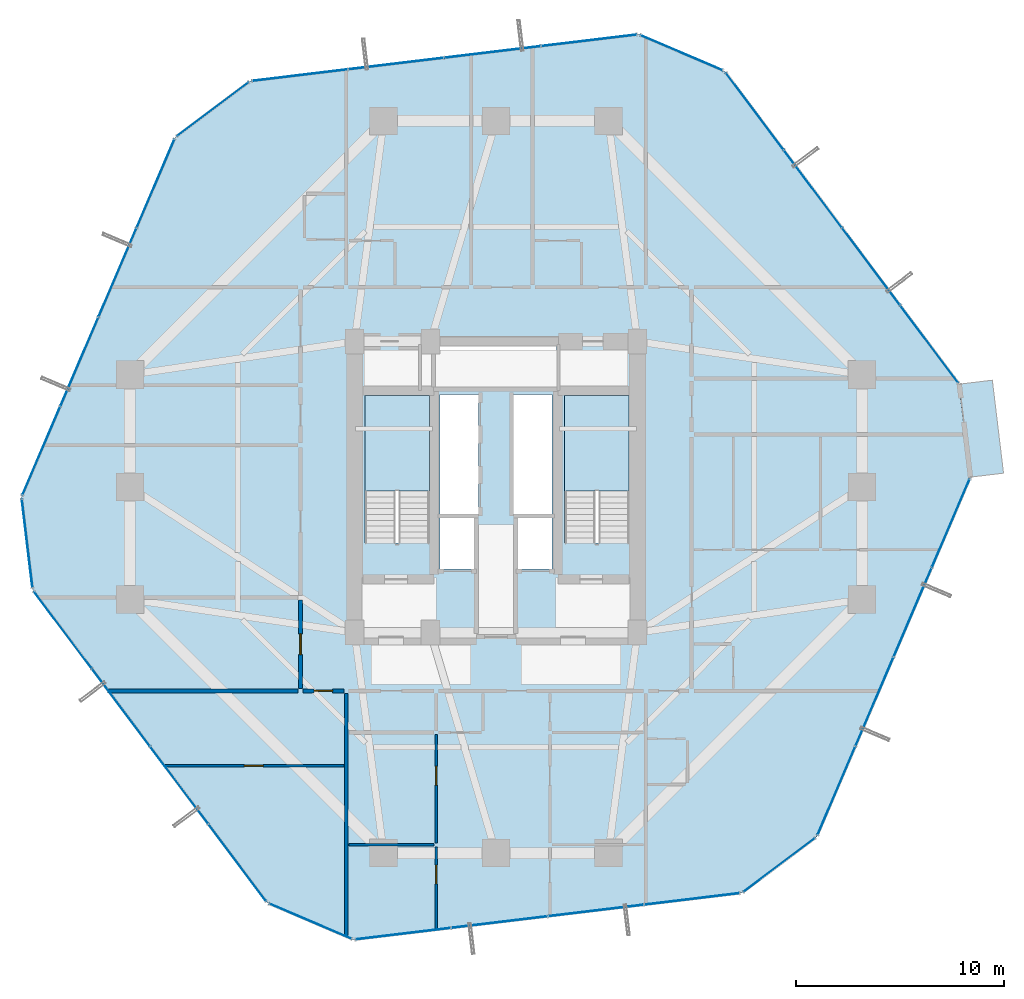
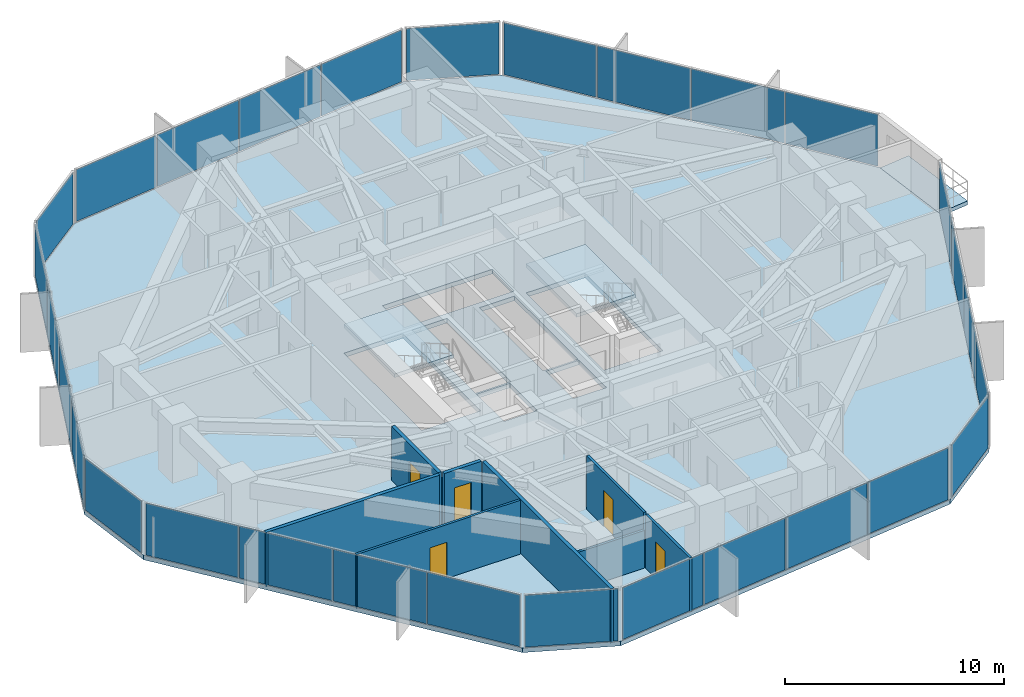
# One storey, part 32 of 37: 29 plates, 8 walls, 5 doors, 4 slabs, 5 openings, 13 elements without a shape of their own.
"""IFC4 building model written with IfcOpenShell, lengths in metres."""

from ifc_helpers import new_model, si_unit, direction, frame, frame_2d, origin, origin_2d, place, context, subcontext, project, spatial, polyline, rectangle, outline, extrude, source, transform, mapped, material, layer, layer_set, type_object, element, fill, aggregate, save


model = new_model("IFC4")

# Units and contexts
model_context = context("Model", 3, precision=1e-05, world=origin(), true_north=direction((0.0, 1.0)))
body_context = subcontext(model_context, "Body", "Model", "MODEL_VIEW")
ifc_project = project(units=[si_unit("LENGTHUNIT", "METRE"), si_unit("AREAUNIT", "SQUARE_METRE"), si_unit("VOLUMEUNIT", "CUBIC_METRE"), si_unit("PLANEANGLEUNIT", "RADIAN"), si_unit("MASSUNIT", "GRAM", prefix="KILO")], contexts=[model_context])

# Site, building, storey
site_placement = place(None, origin())
site = spatial("IfcSite", under=ifc_project, at=site_placement, CompositionType="ELEMENT")
building_placement = place(site_placement, origin())
building = spatial("IfcBuilding", under=site, at=building_placement, Name="Veraguas Prism Commons", CompositionType="ELEMENT")
storey_placement = place(building_placement, frame((0.0, 0.0, 46.800048828125)))
storey = spatial("IfcBuildingStorey", under=building, at=storey_placement, Name="L12", CompositionType="ELEMENT", Elevation=46.800048828125)

# Stair, slab
ifc_material_1 = material(Name="Precast concrete C45/55", Category="concrete")
stair_type = type_object("IfcStairType", Name="Dogleg Core Stair 1480W 20R 05", PredefinedType="HALF_TURN_STAIR", material=ifc_material_1)
stair_1_placement = place(storey_placement, origin())
stair_1 = element("IfcStair", 1, at=stair_1_placement, inside=storey, type_object=stair_type, Name="Protected Exit Stair ST-01 L12", PredefinedType="HALF_TURN_STAIR")
ifc_layer_1 = layer(ifc_material_1, 0.199951171875, Name="Precast Stair and Ramp Landing Slab 200", Category="concrete")
ifc_layer_set_1 = layer_set([ifc_layer_1], Name="Precast concrete C45/55")
slab_type_1 = type_object("IfcSlabType", Name="Precast Stair and Ramp Landing Slab 200", PredefinedType="LANDING", material=ifc_layer_set_1)
slab_1_placement = place(storey_placement, frame((0.0, 0.0, 1.425048828125)))
slab_1 = element("IfcSlab", 2, at=slab_1_placement, type_object=slab_type_1, Name="ST-05 Landing 1", PredefinedType="LANDING", context=body_context, shape_type="SweptSolid", body=[
    extrude(outline(polyline([(20.800048828125, 23.800048828125), (20.800048828125, 28.39990234375), (17.68994140625, 28.39990234375), (17.68994140625, 23.800048828125), (20.800048828125, 23.800048828125)])), origin(), (0.0, 0.0, 1.0), 0.199951171875),
])
aggregate(stair_1, [slab_1])

stair_2_placement = place(storey_placement, origin())
stair_2 = element("IfcStair", 3, at=stair_2_placement, inside=storey, type_object=stair_type, Name="Protected Exit Stair ST-02 L12", PredefinedType="HALF_TURN_STAIR")
slab_2_placement = place(storey_placement, frame((0.0, 0.0, 1.425048828125)))
slab_2 = element("IfcSlab", 4, at=slab_2_placement, type_object=slab_type_1, Name="ST-05 Landing 1", PredefinedType="LANDING", context=body_context, shape_type="SweptSolid", body=[
    extrude(outline(polyline([(30.39990234375, 23.800048828125), (30.39990234375, 28.39990234375), (27.2900390625, 28.39990234375), (27.2900390625, 23.800048828125), (30.39990234375, 23.800048828125)])), origin(), (0.0, 0.0, 1.0), 0.199951171875),
])
aggregate(stair_2, [slab_2])

# Slabs
ifc_material_2 = material(Name="Concrete C45/55", Category="concrete")
ifc_layer_2 = layer(ifc_material_2, 0.219970703125, Name="Recessed Loggia and Terrace Slab RC 220", Category="concrete")
ifc_layer_set_2 = layer_set([ifc_layer_2], Name="Concrete C45/55")
slab_type_2 = type_object("IfcSlabType", Name="Recessed Loggia and Terrace Slab RC 220", PredefinedType="FLOOR", material=ifc_layer_set_2)
slab_3_placement = place(storey_placement, frame((0.0, 0.0, -0.219970703125)))
element("IfcSlab", 5, at=slab_3_placement, inside=storey, type_object=slab_type_2, Name="Recessed Corner Loggia L12-C1", PredefinedType="FLOOR", context=body_context, shape_type="SweptSolid", body=[
    extrude(outline(polyline([(46.787353515625, 24.47509765625), (48.395751953125, 24.668701171875), (47.858154296875, 29.136474609375), (46.249755859375, 28.943115234375), (46.787353515625, 24.47509765625)])), origin(), (0.0, 0.0, 1.0), 0.219970703125),
])
ifc_layer_3 = layer(ifc_material_2, 0.25, Name="Tower Lower Residential Floor Slab RC 250", Category="concrete")
ifc_layer_set_3 = layer_set([ifc_layer_3], Name="Concrete C45/55")
slab_type_3 = type_object("IfcSlabType", Name="Tower Lower Residential Floor Slab RC 250", PredefinedType="FLOOR", material=ifc_layer_set_3)
slab_4_placement = place(storey_placement, frame((0.0, 0.0, -0.25)))
element("IfcSlab", 6, at=slab_4_placement, inside=storey, type_object=slab_type_3, Name="Tower Floor Slab L12", PredefinedType="FLOOR", context=body_context, shape_type="SweptSolid", body=[
    extrude(outline(polyline([(46.80712890625, 24.4775390625), (46.269775390625, 28.9453125), (34.989990234375, 43.990478515625), (30.85205078125, 45.7587890625), (12.182861328125, 43.5126953125), (8.582275390625, 40.8134765625), (1.19287109375, 23.5224609375), (1.730224609375, 19.0546875), (13.010009765625, 4.009521484375), (17.14794921875, 2.2412109375), (35.817138671875, 4.4873046875), (39.417724609375, 7.1865234375), (46.80712890625, 24.4775390625)]), holes=[polyline([(20.800048828125, 21.31005859375), (20.800048828125, 28.39990234375), (17.68994140625, 28.39990234375), (17.68994140625, 21.31005859375), (20.800048828125, 21.31005859375)]), polyline([(30.39990234375, 21.31005859375), (30.39990234375, 28.39990234375), (27.2900390625, 28.39990234375), (27.2900390625, 21.31005859375), (30.39990234375, 21.31005859375)]), polyline([(21.300048828125, 22.64990234375), (23.14990234375, 22.64990234375), (23.14990234375, 28.449951171875), (21.300048828125, 28.449951171875), (21.300048828125, 22.64990234375)]), polyline([(24.85009765625, 22.64990234375), (26.699951171875, 22.64990234375), (26.699951171875, 28.449951171875), (24.85009765625, 28.449951171875), (24.85009765625, 22.64990234375)]), polyline([(21.10009765625, 28.800048828125), (26.89990234375, 28.800048828125), (26.89990234375, 30.800048828125), (21.10009765625, 30.800048828125), (21.10009765625, 28.800048828125)]), polyline([(21.300048828125, 20.050048828125), (23.050048828125, 20.050048828125), (23.050048828125, 22.550048828125), (21.300048828125, 22.550048828125), (21.300048828125, 20.050048828125)]), polyline([(24.949951171875, 20.050048828125), (26.699951171875, 20.050048828125), (26.699951171875, 22.550048828125), (24.949951171875, 22.550048828125), (24.949951171875, 20.050048828125)])]), origin(), (0.0, 0.0, 1.0), 0.25),
])

# Curtain wall, plates
ifc_material_3 = material(Name="Anodised aluminium EN AW-6063 T6", Category="aluminium")
ifc_layer_4 = layer(ifc_material_3, 0.169921875, Name="Unitised Flush Curtain Wall Zone 1", Category="aluminium")
ifc_layer_set_4 = layer_set([ifc_layer_4], Name="Anodised aluminium EN AW-6063 T6")
curtain_wall_type = type_object("IfcCurtainWallType", Name="Unitised Flush Curtain Wall Zone 1", PredefinedType="NOTDEFINED", material=ifc_layer_set_4)
curtain_wall_1_placement = place(storey_placement, origin())
curtain_wall_1 = element("IfcCurtainWall", 7, at=curtain_wall_1_placement, inside=storey, type_object=curtain_wall_type, Name="Tower Facade Curtain Wall L12-F1", PredefinedType="NOTDEFINED")
ifc_material_4 = material(Name="Laminated low-e glass", Category="glass")
ifc_layer_5 = layer(ifc_material_4, 0.028076171875, Name="Unitised Double Low-E Glazed Panel 28", Category="glass")
ifc_layer_set_5 = layer_set([ifc_layer_5], Name="Laminated low-e glass")
plate_type = type_object("IfcPlateType", Name="Unitised Double Low-E Glazed Panel 28", PredefinedType="CURTAIN_PANEL", material=ifc_layer_set_5)
shared_shape_1 = source(origin(), body_context, "Body", "SweptSolid", [
    extrude(rectangle(XDim=4.5810546875, YDim=0.028076171875, at=origin_2d()), origin(), (0.0, 0.0, 1.0), 2.889892578125),
])
plate_1_placement = place(storey_placement, frame((44.82373046875, 30.8740234375, 0.05517578125), z_axis=(0.0, 0.0, 1.0), x_axis=(-0.599861793842, 0.800103635968, 0.0)))
plate_1 = element("IfcPlate", 8, at=plate_1_placement, type_object=plate_type, Name="CW-Z1 Panel 1.1", PredefinedType="CURTAIN_PANEL", context=body_context, shape_type="MappedRepresentation", body=[
    mapped(shared_shape_1, transform((0.0, 0.0, 0.0), scale=1.0)),
])
plate_2_placement = place(storey_placement, frame((36.43603515625, 42.061767578125, 0.05517578125), z_axis=(0.0, 0.0, 1.0), x_axis=(-0.599861793842, 0.800103635968, 0.0)))
plate_2 = element("IfcPlate", 9, at=plate_2_placement, type_object=plate_type, Name="CW-Z1 Panel 4.1", PredefinedType="CURTAIN_PANEL", context=body_context, shape_type="MappedRepresentation", body=[
    mapped(shared_shape_1, transform((0.0, 0.0, 0.0), scale=1.0)),
])

curtain_wall_2_placement = place(storey_placement, origin())
curtain_wall_2 = element("IfcCurtainWall", 10, at=curtain_wall_2_placement, inside=storey, type_object=curtain_wall_type, Name="Tower Facade Curtain Wall L12-F2", PredefinedType="NOTDEFINED")
plate_3_placement = place(storey_placement, frame((28.458740234375, 45.470947265625, 0.05517578125), z_axis=(0.0, 0.0, 1.0), x_axis=(-0.992841388261, -0.119440268573, 0.0)))
plate_3 = element("IfcPlate", 11, at=plate_3_placement, type_object=plate_type, Name="CW-Z1 Panel 1.1", PredefinedType="CURTAIN_PANEL", context=body_context, shape_type="MappedRepresentation", body=[
    mapped(shared_shape_1, transform((0.0, 0.0, 0.0), scale=1.0)),
])
plate_4_placement = place(storey_placement, frame((14.575927734375, 43.80078125, 0.05517578125), z_axis=(0.0, 0.0, 1.0), x_axis=(-0.992841388261, -0.119440268573, 0.0)))
plate_4 = element("IfcPlate", 12, at=plate_4_placement, type_object=plate_type, Name="CW-Z1 Panel 4.1", PredefinedType="CURTAIN_PANEL", context=body_context, shape_type="MappedRepresentation", body=[
    mapped(shared_shape_1, transform((0.0, 0.0, 0.0), scale=1.0)),
])

curtain_wall_3_placement = place(storey_placement, origin())
curtain_wall_3 = element("IfcCurtainWall", 13, at=curtain_wall_3_placement, inside=storey, type_object=curtain_wall_type, Name="Tower Facade Curtain Wall L12-F3", PredefinedType="NOTDEFINED")
plate_5_placement = place(storey_placement, frame((7.635009765625, 38.596923828125, 0.05517578125), z_axis=(0.0, 0.0, 1.0), x_axis=(-0.392977572574, -0.919548056087, 0.0)))
plate_5 = element("IfcPlate", 14, at=plate_5_placement, type_object=plate_type, Name="CW-Z1 Panel 1.1", PredefinedType="CURTAIN_PANEL", context=body_context, shape_type="MappedRepresentation", body=[
    mapped(shared_shape_1, transform((0.0, 0.0, 0.0), scale=1.0)),
])
plate_6_placement = place(storey_placement, frame((2.14013671875, 25.739013671875, 0.05517578125), z_axis=(0.0, 0.0, 1.0), x_axis=(-0.392977572574, -0.919548056087, 0.0)))
plate_6 = element("IfcPlate", 15, at=plate_6_placement, type_object=plate_type, Name="CW-Z1 Panel 4.1", PredefinedType="CURTAIN_PANEL", context=body_context, shape_type="MappedRepresentation", body=[
    mapped(shared_shape_1, transform((0.0, 0.0, 0.0), scale=1.0)),
])

curtain_wall_4_placement = place(storey_placement, origin())
curtain_wall_4 = element("IfcCurtainWall", 16, at=curtain_wall_4_placement, inside=storey, type_object=curtain_wall_type, Name="Tower Facade Curtain Wall L12-F4", PredefinedType="NOTDEFINED")
plate_7_placement = place(storey_placement, frame((3.17626953125, 17.1259765625, 0.05517578125), z_axis=(0.0, 0.0, 1.0), x_axis=(0.599861793842, -0.800103635968, 0.0)))
plate_7 = element("IfcPlate", 17, at=plate_7_placement, type_object=plate_type, Name="CW-Z1 Panel 1.1", PredefinedType="CURTAIN_PANEL", context=body_context, shape_type="MappedRepresentation", body=[
    mapped(shared_shape_1, transform((0.0, 0.0, 0.0), scale=1.0)),
])
plate_8_placement = place(storey_placement, frame((11.56396484375, 5.938232421875, 0.05517578125), z_axis=(0.0, 0.0, 1.0), x_axis=(0.599861793842, -0.800103635968, 0.0)))
plate_8 = element("IfcPlate", 18, at=plate_8_placement, type_object=plate_type, Name="CW-Z1 Panel 4.1", PredefinedType="CURTAIN_PANEL", context=body_context, shape_type="MappedRepresentation", body=[
    mapped(shared_shape_1, transform((0.0, 0.0, 0.0), scale=1.0)),
])

curtain_wall_5_placement = place(storey_placement, origin())
curtain_wall_5 = element("IfcCurtainWall", 19, at=curtain_wall_5_placement, inside=storey, type_object=curtain_wall_type, Name="Tower Facade Curtain Wall L12-F5", PredefinedType="NOTDEFINED")
plate_9_placement = place(storey_placement, frame((19.541259765625, 2.529052734375, 0.05517578125), z_axis=(0.0, 0.0, 1.0), x_axis=(0.992841388261, 0.119440268573, 0.0)))
plate_9 = element("IfcPlate", 20, at=plate_9_placement, type_object=plate_type, Name="CW-Z1 Panel 1.1", PredefinedType="CURTAIN_PANEL", context=body_context, shape_type="MappedRepresentation", body=[
    mapped(shared_shape_1, transform((0.0, 0.0, 0.0), scale=1.0)),
])
plate_10_placement = place(storey_placement, frame((33.424072265625, 4.19921875, 0.05517578125), z_axis=(0.0, 0.0, 1.0), x_axis=(0.992841388261, 0.119440268573, 0.0)))
plate_10 = element("IfcPlate", 21, at=plate_10_placement, type_object=plate_type, Name="CW-Z1 Panel 4.1", PredefinedType="CURTAIN_PANEL", context=body_context, shape_type="MappedRepresentation", body=[
    mapped(shared_shape_1, transform((0.0, 0.0, 0.0), scale=1.0)),
])

curtain_wall_6_placement = place(storey_placement, origin())
curtain_wall_6 = element("IfcCurtainWall", 22, at=curtain_wall_6_placement, inside=storey, type_object=curtain_wall_type, Name="Tower Facade Curtain Wall L12-F6", PredefinedType="NOTDEFINED")
plate_11_placement = place(storey_placement, frame((40.364990234375, 9.403076171875, 0.05517578125), z_axis=(0.0, 0.0, 1.0), x_axis=(0.392977572574, 0.919548056087, 0.0)))
plate_11 = element("IfcPlate", 23, at=plate_11_placement, type_object=plate_type, Name="CW-Z1 Panel 1.1", PredefinedType="CURTAIN_PANEL", context=body_context, shape_type="MappedRepresentation", body=[
    mapped(shared_shape_1, transform((0.0, 0.0, 0.0), scale=1.0)),
])
plate_12_placement = place(storey_placement, frame((45.85986328125, 22.260986328125, 0.05517578125), z_axis=(0.0, 0.0, 1.0), x_axis=(0.392977572574, 0.919548056087, 0.0)))
plate_12 = element("IfcPlate", 24, at=plate_12_placement, type_object=plate_type, Name="CW-Z1 Panel 4.1", PredefinedType="CURTAIN_PANEL", context=body_context, shape_type="MappedRepresentation", body=[
    mapped(shared_shape_1, transform((0.0, 0.0, 0.0), scale=1.0)),
])

# Plate
shared_shape_2 = source(origin(), body_context, "Body", "SweptSolid", [
    extrude(rectangle(XDim=4.61083984375, YDim=0.028076171875, at=origin_2d()), origin(), (0.0, 0.0, 1.0), 2.889892578125),
])
plate_13_placement = place(storey_placement, frame((42.03076171875, 34.599365234375, 0.05517578125), z_axis=(0.0, 0.0, 1.0), x_axis=(-0.599861793842, 0.800103635968, 0.0)))
plate_13 = element("IfcPlate", 25, at=plate_13_placement, type_object=plate_type, Name="CW-Z1 Panel 2.1", PredefinedType="CURTAIN_PANEL", context=body_context, shape_type="MappedRepresentation", body=[
    mapped(shared_shape_2, transform((0.0, 0.0, 0.0), scale=1.0)),
])

plate_14_placement = place(storey_placement, frame((39.22900390625, 38.33642578125, 0.05517578125), z_axis=(0.0, 0.0, 1.0), x_axis=(-0.599861793842, 0.800103635968, 0.0)))
plate_14 = element("IfcPlate", 26, at=plate_14_placement, type_object=plate_type, Name="CW-Z1 Panel 3.1", PredefinedType="CURTAIN_PANEL", context=body_context, shape_type="MappedRepresentation", body=[
    mapped(shared_shape_2, transform((0.0, 0.0, 0.0), scale=1.0)),
])

aggregate(curtain_wall_1, [plate_1, plate_13, plate_14, plate_2])

plate_15_placement = place(storey_placement, frame((23.836181640625, 44.914794921875, 0.05517578125), z_axis=(0.0, 0.0, 1.0), x_axis=(-0.992841388261, -0.119440268573, 0.0)))
plate_15 = element("IfcPlate", 27, at=plate_15_placement, type_object=plate_type, Name="CW-Z1 Panel 2.1", PredefinedType="CURTAIN_PANEL", context=body_context, shape_type="MappedRepresentation", body=[
    mapped(shared_shape_2, transform((0.0, 0.0, 0.0), scale=1.0)),
])

plate_16_placement = place(storey_placement, frame((19.19873046875, 44.35693359375, 0.05517578125), z_axis=(0.0, 0.0, 1.0), x_axis=(-0.992841388261, -0.119440268573, 0.0)))
plate_16 = element("IfcPlate", 28, at=plate_16_placement, type_object=plate_type, Name="CW-Z1 Panel 3.1", PredefinedType="CURTAIN_PANEL", context=body_context, shape_type="MappedRepresentation", body=[
    mapped(shared_shape_2, transform((0.0, 0.0, 0.0), scale=1.0)),
])

aggregate(curtain_wall_2, [plate_3, plate_15, plate_16, plate_4])

plate_17_placement = place(storey_placement, frame((5.805419921875, 34.3154296875, 0.05517578125), z_axis=(0.0, 0.0, 1.0), x_axis=(-0.392977572574, -0.919548056087, 0.0)))
plate_17 = element("IfcPlate", 29, at=plate_17_placement, type_object=plate_type, Name="CW-Z1 Panel 2.1", PredefinedType="CURTAIN_PANEL", context=body_context, shape_type="MappedRepresentation", body=[
    mapped(shared_shape_2, transform((0.0, 0.0, 0.0), scale=1.0)),
])

plate_18_placement = place(storey_placement, frame((3.9697265625, 30.020263671875, 0.05517578125), z_axis=(0.0, 0.0, 1.0), x_axis=(-0.392977572574, -0.919548056087, 0.0)))
plate_18 = element("IfcPlate", 30, at=plate_18_placement, type_object=plate_type, Name="CW-Z1 Panel 3.1", PredefinedType="CURTAIN_PANEL", context=body_context, shape_type="MappedRepresentation", body=[
    mapped(shared_shape_2, transform((0.0, 0.0, 0.0), scale=1.0)),
])

aggregate(curtain_wall_3, [plate_5, plate_17, plate_18, plate_6])

plate_19_placement = place(storey_placement, frame((5.96923828125, 13.400634765625, 0.05517578125), z_axis=(0.0, 0.0, 1.0), x_axis=(0.599861793842, -0.800103635968, 0.0)))
plate_19 = element("IfcPlate", 31, at=plate_19_placement, type_object=plate_type, Name="CW-Z1 Panel 2.1", PredefinedType="CURTAIN_PANEL", context=body_context, shape_type="MappedRepresentation", body=[
    mapped(shared_shape_2, transform((0.0, 0.0, 0.0), scale=1.0)),
])

plate_20_placement = place(storey_placement, frame((8.77099609375, 9.66357421875, 0.05517578125), z_axis=(0.0, 0.0, 1.0), x_axis=(0.599861793842, -0.800103635968, 0.0)))
plate_20 = element("IfcPlate", 32, at=plate_20_placement, type_object=plate_type, Name="CW-Z1 Panel 3.1", PredefinedType="CURTAIN_PANEL", context=body_context, shape_type="MappedRepresentation", body=[
    mapped(shared_shape_2, transform((0.0, 0.0, 0.0), scale=1.0)),
])

aggregate(curtain_wall_4, [plate_7, plate_19, plate_20, plate_8])

plate_21_placement = place(storey_placement, frame((24.163818359375, 3.085205078125, 0.05517578125), z_axis=(0.0, 0.0, 1.0), x_axis=(0.992841388261, 0.119440268573, 0.0)))
plate_21 = element("IfcPlate", 33, at=plate_21_placement, type_object=plate_type, Name="CW-Z1 Panel 2.1", PredefinedType="CURTAIN_PANEL", context=body_context, shape_type="MappedRepresentation", body=[
    mapped(shared_shape_2, transform((0.0, 0.0, 0.0), scale=1.0)),
])

plate_22_placement = place(storey_placement, frame((28.80126953125, 3.64306640625, 0.05517578125), z_axis=(0.0, 0.0, 1.0), x_axis=(0.992841388261, 0.119440268573, 0.0)))
plate_22 = element("IfcPlate", 34, at=plate_22_placement, type_object=plate_type, Name="CW-Z1 Panel 3.1", PredefinedType="CURTAIN_PANEL", context=body_context, shape_type="MappedRepresentation", body=[
    mapped(shared_shape_2, transform((0.0, 0.0, 0.0), scale=1.0)),
])

aggregate(curtain_wall_5, [plate_9, plate_21, plate_22, plate_10])

plate_23_placement = place(storey_placement, frame((42.194580078125, 13.6845703125, 0.05517578125), z_axis=(0.0, 0.0, 1.0), x_axis=(0.392977572574, 0.919548056087, 0.0)))
plate_23 = element("IfcPlate", 35, at=plate_23_placement, type_object=plate_type, Name="CW-Z1 Panel 2.1", PredefinedType="CURTAIN_PANEL", context=body_context, shape_type="MappedRepresentation", body=[
    mapped(shared_shape_2, transform((0.0, 0.0, 0.0), scale=1.0)),
])

plate_24_placement = place(storey_placement, frame((44.0302734375, 17.979736328125, 0.05517578125), z_axis=(0.0, 0.0, 1.0), x_axis=(0.392977572574, 0.919548056087, 0.0)))
plate_24 = element("IfcPlate", 36, at=plate_24_placement, type_object=plate_type, Name="CW-Z1 Panel 3.1", PredefinedType="CURTAIN_PANEL", context=body_context, shape_type="MappedRepresentation", body=[
    mapped(shared_shape_2, transform((0.0, 0.0, 0.0), scale=1.0)),
])

aggregate(curtain_wall_6, [plate_11, plate_23, plate_24, plate_12])

# Curtain wall, plate
curtain_wall_7_placement = place(storey_placement, origin())
curtain_wall_7 = element("IfcCurtainWall", 37, at=curtain_wall_7_placement, inside=storey, type_object=curtain_wall_type, Name="Chamfer Curtain Wall L12-C2", PredefinedType="NOTDEFINED")
shared_shape_3 = source(origin(), body_context, "Body", "SweptSolid", [
    extrude(rectangle(XDim=4.260009765625, YDim=0.028076171875, at=origin_2d()), origin(), (0.0, 0.0, 1.0), 2.889892578125),
])
plate_25_placement = place(storey_placement, frame((32.9208984375, 44.87451171875, 0.05517578125), z_axis=(0.0, 0.0, 1.0), x_axis=(-0.919550799566, 0.392971152908, 0.0)))
plate_25 = element("IfcPlate", 38, at=plate_25_placement, type_object=plate_type, Name="CW-Z1 Panel 1.1", PredefinedType="CURTAIN_PANEL", context=body_context, shape_type="MappedRepresentation", body=[
    mapped(shared_shape_3, transform((0.0, 0.0, 0.0), scale=1.0)),
])
aggregate(curtain_wall_7, [plate_25])

curtain_wall_8_placement = place(storey_placement, origin())
curtain_wall_8 = element("IfcCurtainWall", 39, at=curtain_wall_8_placement, inside=storey, type_object=curtain_wall_type, Name="Chamfer Curtain Wall L12-C3", PredefinedType="NOTDEFINED")
plate_26_placement = place(storey_placement, frame((10.382568359375, 42.1630859375, 0.05517578125), z_axis=(0.0, 0.0, 1.0), x_axis=(-0.800106776826, -0.599857604501, 0.0)))
plate_26 = element("IfcPlate", 40, at=plate_26_placement, type_object=plate_type, Name="CW-Z1 Panel 1.1", PredefinedType="CURTAIN_PANEL", context=body_context, shape_type="MappedRepresentation", body=[
    mapped(shared_shape_3, transform((0.0, 0.0, 0.0), scale=1.0)),
])
aggregate(curtain_wall_8, [plate_26])

curtain_wall_9_placement = place(storey_placement, origin())
curtain_wall_9 = element("IfcCurtainWall", 41, at=curtain_wall_9_placement, inside=storey, type_object=curtain_wall_type, Name="Chamfer Curtain Wall L12-C4", PredefinedType="NOTDEFINED")
plate_27_placement = place(storey_placement, frame((1.461669921875, 21.28857421875, 0.05517578125), z_axis=(0.0, 0.0, 1.0), x_axis=(0.119429871556, -0.992842638982, 0.0)))
plate_27 = element("IfcPlate", 42, at=plate_27_placement, type_object=plate_type, Name="CW-Z1 Panel 1.1", PredefinedType="CURTAIN_PANEL", context=body_context, shape_type="MappedRepresentation", body=[
    mapped(shared_shape_3, transform((0.0, 0.0, 0.0), scale=1.0)),
])
aggregate(curtain_wall_9, [plate_27])

curtain_wall_10_placement = place(storey_placement, origin())
curtain_wall_10 = element("IfcCurtainWall", 43, at=curtain_wall_10_placement, inside=storey, type_object=curtain_wall_type, Name="Chamfer Curtain Wall L12-C5", PredefinedType="NOTDEFINED")
plate_28_placement = place(storey_placement, frame((15.0791015625, 3.12548828125, 0.05517578125), z_axis=(0.0, 0.0, 1.0), x_axis=(0.919550799566, -0.392971152908, 0.0)))
plate_28 = element("IfcPlate", 44, at=plate_28_placement, type_object=plate_type, Name="CW-Z1 Panel 1.1", PredefinedType="CURTAIN_PANEL", context=body_context, shape_type="MappedRepresentation", body=[
    mapped(shared_shape_3, transform((0.0, 0.0, 0.0), scale=1.0)),
])
aggregate(curtain_wall_10, [plate_28])

curtain_wall_11_placement = place(storey_placement, origin())
curtain_wall_11 = element("IfcCurtainWall", 45, at=curtain_wall_11_placement, inside=storey, type_object=curtain_wall_type, Name="Chamfer Curtain Wall L12-C6", PredefinedType="NOTDEFINED")
plate_29_placement = place(storey_placement, frame((37.617431640625, 5.8369140625, 0.05517578125), z_axis=(0.0, 0.0, 1.0), x_axis=(0.800106776826, 0.599857604501, 0.0)))
plate_29 = element("IfcPlate", 46, at=plate_29_placement, type_object=plate_type, Name="CW-Z1 Panel 1.1", PredefinedType="CURTAIN_PANEL", context=body_context, shape_type="MappedRepresentation", body=[
    mapped(shared_shape_3, transform((0.0, 0.0, 0.0), scale=1.0)),
])
aggregate(curtain_wall_11, [plate_29])

# Walls
ifc_material_5 = material(Name="Autoclaved aerated masonry block 10 MPa", Category="masonry")
ifc_layer_6 = layer(ifc_material_5, 0.179931640625, Name="Corridor and Inter-Tenancy Partition 180", Category="masonry")
ifc_layer_set_6 = layer_set([ifc_layer_6], Name="Autoclaved aerated masonry block 10 MPa")
wall_type_1 = type_object("IfcWallType", Name="Corridor and Inter-Tenancy Partition 180", PredefinedType="PARTITIONING", material=ifc_layer_set_6)
wall_1_placement = place(storey_placement, frame((16.800048828125, 14.080078125, 0.0), z_axis=(0.0, 0.0, 1.0), x_axis=(0.0, -1.0, 0.0)))
element("IfcWall", 47, at=wall_1_placement, inside=storey, type_object=wall_type_1, Name="WL-L12-PT001", PredefinedType="PARTITIONING", context=body_context, shape_type="SweptSolid", body=[
    extrude(rectangle(XDim=11.72265625, YDim=0.179931640625, at=frame_2d((5.861328125, 0.0))), origin(), (0.0, 0.0, 1.0), 3.0),
])
wall_2_placement = place(storey_placement, frame((14.47998046875, 14.199951171875, 0.0), z_axis=(0.0, 0.0, 1.0), x_axis=(-1.0, 0.0, 0.0)))
element("IfcWall", 48, at=wall_2_placement, inside=storey, type_object=wall_type_1, Name="WL-L12-PT028", PredefinedType="PARTITIONING", context=body_context, shape_type="SweptSolid", body=[
    extrude(rectangle(XDim=9.1474609375, YDim=0.179931640625, at=frame_2d((4.57373046875, 0.0))), origin(), (0.0, 0.0, 1.0), 3.0),
])

# Wall, opening, door
wall_3_placement = place(storey_placement, frame((14.60009765625, 14.31005859375, 0.0), z_axis=(0.0, 0.0, 1.0), x_axis=(0.0, 1.0, 0.0)))
wall_3 = element("IfcWall", 49, at=wall_3_placement, inside=storey, type_object=wall_type_1, Name="WL-L12-PT030", PredefinedType="PARTITIONING", context=body_context, shape_type="SweptSolid", body=[
    extrude(rectangle(XDim=4.266845703125, YDim=0.179931640625, at=frame_2d((2.13330078125, 0.0))), origin(), (0.0, 0.0, 1.0), 3.0),
])
opening_1_placement = place(wall_3_placement, frame((1.633544921875, 0.0, 0.0)))
opening_1 = element("IfcOpeningElement", 50, at=opening_1_placement, cuts=wall_3, Name="Opening DR-13", PredefinedType="OPENING", context=body_context, shape_type="SweptSolid", body=[
    extrude(rectangle(XDim=1.0, YDim=2.010009765625, at=frame_2d((0.5, 1.0048828125))), frame((0.0, 0.099853515625, 0.0), z_axis=(0.0, -1.0, 0.0), x_axis=(1.0, 0.0, 0.0)), (0.0, 0.0, 1.0), 0.199951171875),
])
ifc_material_6 = material(Name="Steel fire-rated door assembly", Category="steel")
door_type_1 = type_object("IfcDoorType", Name="Core Accessible WC and Clinic Fire Door 1000x2010", OperationType="NOTDEFINED", PredefinedType="DOOR", material=ifc_material_6)
shared_shape_4 = source(origin(), body_context, "Body", "SweptSolid", [
    extrude(rectangle(XDim=1.0, YDim=2.010009765625, at=frame_2d((0.5, 1.0048828125))), frame((0.0, 0.02490234375, 0.0), z_axis=(0.0, -1.0, 0.0), x_axis=(1.0, 0.0, 0.0)), (0.0, 0.0, 1.0), 0.050048828125),
])
door_1_placement = place(opening_1_placement, origin())
door_1 = element("IfcDoor", 51, at=door_1_placement, inside=storey, type_object=door_type_1, Name="Residents Study Room Door", OperationType="SINGLE_SWING_LEFT", OverallHeight=2.010009765625, OverallWidth=1.0, PredefinedType="DOOR", context=body_context, shape_type="MappedRepresentation", body=[
    mapped(shared_shape_4, transform((0.0, 0.0, 0.0), scale=1.0)),
])
fill(opening_1, door_1)

wall_4_placement = place(storey_placement, frame((14.719970703125, 14.199951171875, 0.0), z_axis=(0.0, 0.0, 1.0), x_axis=(1.0, 0.0, 0.0)))
wall_4 = element("IfcWall", 52, at=wall_4_placement, inside=storey, type_object=wall_type_1, Name="WL-L12-PT051", PredefinedType="PARTITIONING", context=body_context, shape_type="SweptSolid", body=[
    extrude(rectangle(XDim=1.9599609375, YDim=0.179931640625, at=frame_2d((0.97998046875, 0.0))), origin(), (0.0, 0.0, 1.0), 3.0),
])
opening_2_placement = place(wall_4_placement, frame((0.530029296875, 0.0, 0.0)))
opening_2 = element("IfcOpeningElement", 53, at=opening_2_placement, cuts=wall_4, Name="Opening DR-14", PredefinedType="OPENING", context=body_context, shape_type="SweptSolid", body=[
    extrude(rectangle(XDim=0.89990234375, YDim=2.010009765625, at=frame_2d((0.449951171875, 1.0048828125))), frame((0.0, 0.099853515625, 0.0), z_axis=(0.0, -1.0, 0.0), x_axis=(1.0, 0.0, 0.0)), (0.0, 0.0, 1.0), 0.199951171875),
])
door_type_2 = type_object("IfcDoorType", Name="Core Service Room Fire Door 900x2010", OperationType="NOTDEFINED", PredefinedType="DOOR", material=ifc_material_6)
shared_shape_5 = source(origin(), body_context, "Body", "SweptSolid", [
    extrude(rectangle(XDim=0.89990234375, YDim=2.010009765625, at=frame_2d((0.449951171875, 1.0048828125))), frame((0.0, 0.02490234375, 0.0), z_axis=(0.0, -1.0, 0.0), x_axis=(1.0, 0.0, 0.0)), (0.0, 0.0, 1.0), 0.050048828125),
])
door_2_placement = place(opening_2_placement, origin())
door_2 = element("IfcDoor", 54, at=door_2_placement, inside=storey, type_object=door_type_2, Name="Corner Study SW Door", OperationType="SINGLE_SWING_RIGHT", OverallHeight=2.010009765625, OverallWidth=0.89990234375, PredefinedType="DOOR", context=body_context, shape_type="MappedRepresentation", body=[
    mapped(shared_shape_5, transform((0.0, 0.0, 0.0), scale=1.0)),
])
fill(opening_2, door_2)

# Wall
ifc_material_7 = material(Name="Lightweight acoustic gypsum board")
ifc_layer_7 = layer(ifc_material_7, 0.125, Name="Internal Apartment Room Partition 125")
ifc_layer_set_7 = layer_set([ifc_layer_7], Name="Lightweight acoustic gypsum board")
wall_type_2 = type_object("IfcWallType", Name="Internal Apartment Room Partition 125", PredefinedType="PARTITIONING", material=ifc_layer_set_7)
wall_5_placement = place(storey_placement, frame((16.919921875, 6.800048828125, 0.0), z_axis=(0.0, 0.0, 1.0), x_axis=(1.0, 0.0, 0.0)))
element("IfcWall", 55, at=wall_5_placement, inside=storey, type_object=wall_type_2, Name="WL-L12-PT005", PredefinedType="PARTITIONING", context=body_context, shape_type="SweptSolid", body=[
    extrude(rectangle(XDim=4.10009765625, YDim=0.125, at=frame_2d((2.050048828125, 0.0))), origin(), (0.0, 0.0, 1.0), 2.099853515625),
])

# Wall, opening, door
wall_6_placement = place(storey_placement, frame((21.1201171875, 6.699951171875, 0.0), z_axis=(0.0, 0.0, 1.0), x_axis=(0.0, -1.0, 0.0)))
wall_6 = element("IfcWall", 56, at=wall_6_placement, inside=storey, type_object=wall_type_2, Name="WL-L12-PT006", PredefinedType="PARTITIONING", context=body_context, shape_type="SweptSolid", body=[
    extrude(rectangle(XDim=4.01123046875, YDim=0.125, at=frame_2d((2.005615234375, 0.0))), origin(), (0.0, 0.0, 1.0), 3.0),
])
opening_3_placement = place(wall_6_placement, frame((0.877685546875, 0.0, 0.0)))
opening_3 = element("IfcOpeningElement", 57, at=opening_3_placement, cuts=wall_6, Name="Opening DR-02", PredefinedType="OPENING", context=body_context, shape_type="SweptSolid", body=[
    extrude(rectangle(XDim=0.89990234375, YDim=2.010009765625, at=frame_2d((0.449951171875, 1.0048828125))), frame((0.0, 0.072509765625, 0.0), z_axis=(0.0, -1.0, 0.0), x_axis=(1.0, 0.0, 0.0)), (0.0, 0.0, 1.0), 0.14501953125),
])
ifc_material_8 = material(Name="Timber solid core hardwood", Category="wood")
door_type_3 = type_object("IfcDoorType", Name="Internal Habitable Room Door 900x2010", OperationType="NOTDEFINED", PredefinedType="DOOR", material=ifc_material_8)
door_3_placement = place(opening_3_placement, origin())
door_3 = element("IfcDoor", 58, at=door_3_placement, inside=storey, type_object=door_type_3, Name="Flat 12A Bedroom 3 Door", OperationType="SINGLE_SWING_RIGHT", OverallHeight=2.010009765625, OverallWidth=0.89990234375, PredefinedType="DOOR", context=body_context, shape_type="MappedRepresentation", body=[
    mapped(shared_shape_5, transform((0.0, 0.0, 0.0), scale=1.0)),
])
fill(opening_3, door_3)

wall_7_placement = place(storey_placement, frame((21.1201171875, 12.10009765625, 0.0), z_axis=(0.0, 0.0, 1.0), x_axis=(0.0, -1.0, 0.0)))
wall_7 = element("IfcWall", 59, at=wall_7_placement, inside=storey, type_object=wall_type_2, Name="WL-L12-PT011", PredefinedType="PARTITIONING", context=body_context, shape_type="SweptSolid", body=[
    extrude(rectangle(XDim=5.22021484375, YDim=0.125, at=frame_2d((2.610107421875, 0.0))), origin(), (0.0, 0.0, 1.0), 3.0),
])
opening_4_placement = place(wall_7_placement, frame((1.53271484375, 0.0, 0.0)))
opening_4 = element("IfcOpeningElement", 60, at=opening_4_placement, cuts=wall_7, Name="Opening DR-02", PredefinedType="OPENING", context=body_context, shape_type="SweptSolid", body=[
    extrude(rectangle(XDim=0.89990234375, YDim=2.010009765625, at=frame_2d((0.449951171875, 1.0048828125))), frame((0.0, 0.072509765625, 0.0), z_axis=(0.0, -1.0, 0.0), x_axis=(1.0, 0.0, 0.0)), (0.0, 0.0, 1.0), 0.14501953125),
])
door_4_placement = place(opening_4_placement, origin())
door_4 = element("IfcDoor", 61, at=door_4_placement, inside=storey, type_object=door_type_3, Name="Flat 12A Bedroom 2 Door", OperationType="SINGLE_SWING_RIGHT", OverallHeight=2.010009765625, OverallWidth=0.89990234375, PredefinedType="DOOR", context=body_context, shape_type="MappedRepresentation", body=[
    mapped(shared_shape_5, transform((0.0, 0.0, 0.0), scale=1.0)),
])
fill(opening_4, door_4)

wall_8_placement = place(storey_placement, frame((8.031494140625, 10.60009765625, 0.0), z_axis=(0.0, 0.0, 1.0), x_axis=(1.0, 0.0, 0.0)))
wall_8 = element("IfcWall", 62, at=wall_8_placement, inside=storey, type_object=wall_type_2, Name="WL-L12-PT052", PredefinedType="PARTITIONING", context=body_context, shape_type="SweptSolid", body=[
    extrude(rectangle(XDim=8.6484375, YDim=0.125, at=frame_2d((4.32421875, 0.0))), origin(), (0.0, 0.0, 1.0), 3.0),
])
opening_5_placement = place(wall_8_placement, frame((3.874267578125, 0.0, 0.0)))
opening_5 = element("IfcOpeningElement", 63, at=opening_5_placement, cuts=wall_8, Name="Opening DR-02", PredefinedType="OPENING", context=body_context, shape_type="SweptSolid", body=[
    extrude(rectangle(XDim=0.89990234375, YDim=2.010009765625, at=frame_2d((0.449951171875, 1.0048828125))), frame((0.0, 0.072509765625, 0.0), z_axis=(0.0, -1.0, 0.0), x_axis=(1.0, 0.0, 0.0)), (0.0, 0.0, 1.0), 0.14501953125),
])
door_5_placement = place(opening_5_placement, origin())
door_5 = element("IfcDoor", 64, at=door_5_placement, inside=storey, type_object=door_type_3, Name="Craft Room SW Door", OperationType="SINGLE_SWING_LEFT", OverallHeight=2.010009765625, OverallWidth=0.89990234375, PredefinedType="DOOR", context=body_context, shape_type="MappedRepresentation", body=[
    mapped(shared_shape_5, transform((0.0, 0.0, 0.0), scale=1.0)),
])
fill(opening_5, door_5)

save(model, "model.ifc")
